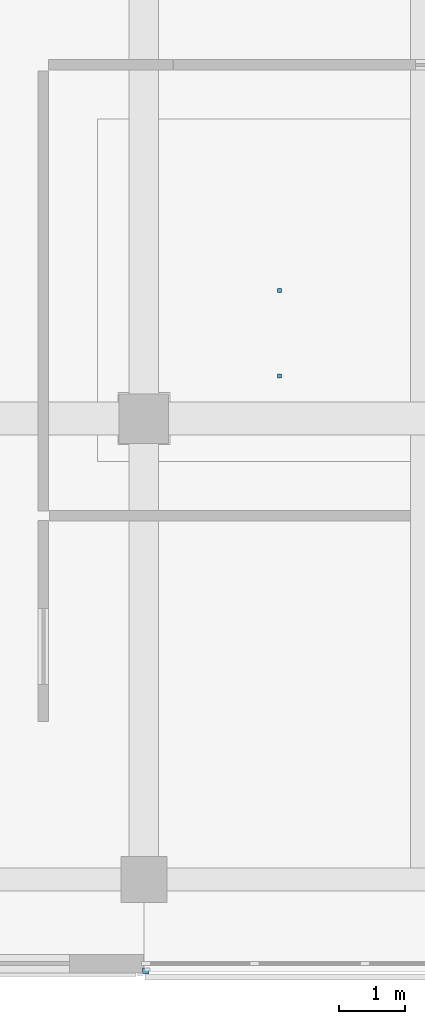
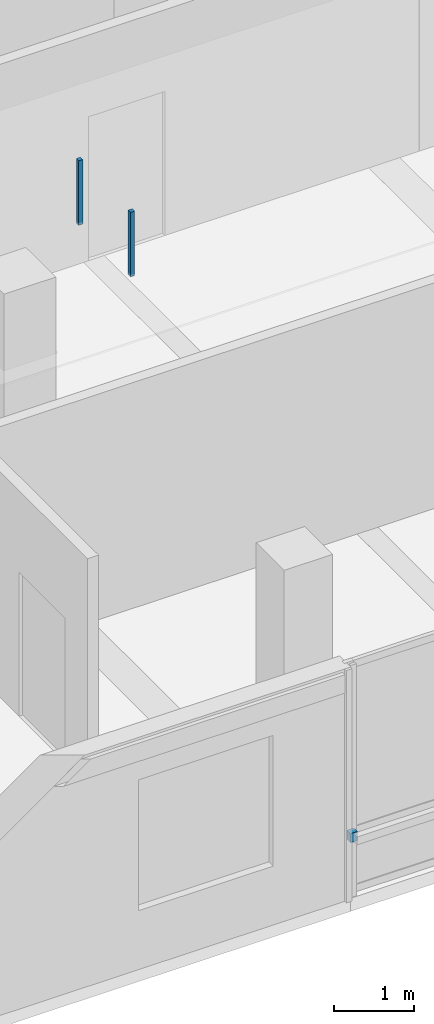
# One storey, part 16 of 35: 3 discrete accessories.
"""IFC4 building model written with IfcOpenShell, lengths in metres."""

from ifc_helpers import new_model, si_unit, direction, frame, origin, origin_2d, place, context, subcontext, project, spatial, rectangle, extrude, material, type_object, element, save


model = new_model("IFC4")

# Units and contexts
model_context = context("Model", 3, precision=1e-05, world=origin(), true_north=direction((0.0, 1.0)))
body_context = subcontext(model_context, "Body", "Model", "MODEL_VIEW")
ifc_project = project(units=[si_unit("LENGTHUNIT", "METRE"), si_unit("AREAUNIT", "SQUARE_METRE"), si_unit("VOLUMEUNIT", "CUBIC_METRE"), si_unit("PLANEANGLEUNIT", "RADIAN"), si_unit("MASSUNIT", "GRAM", prefix="KILO")], contexts=[model_context])

# Site, building, storey
site_placement = place(None, origin())
site = spatial("IfcSite", under=ifc_project, at=site_placement, CompositionType="ELEMENT")
building_placement = place(site_placement, origin())
building = spatial("IfcBuilding", under=site, at=building_placement, Name="Telukmera Botanical Conservatory", CompositionType="ELEMENT")
storey_placement = place(building_placement, frame((0.0, 0.0, 46.5)))
storey = spatial("IfcBuildingStorey", under=building, at=storey_placement, Name="L10", CompositionType="ELEMENT", Elevation=46.5)

# Discrete accessories
ifc_material = material(Name="Steel S355", Category="steel")
discrete_accessory_type_1 = type_object("IfcDiscreteAccessoryType", Name="ACC-CEIL-HGR", PredefinedType="BRACKET", material=ifc_material)
for number, where, z_axis, x_axis, name in (
    (1, (77.660888671875, 18.25, 3.31982421875), (0.0, 0.0, 1.0), (1.0, 0.0, 0.0), "L10 Suspended Ceiling Hanger Rod 025-1"),
    (2, (77.660888671875, 19.550048828125, 3.31982421875), (0.0, 0.0, 1.0), (1.0, 0.0, 0.0), "L10 Suspended Ceiling Hanger Rod 025-2"),
):
    element("IfcDiscreteAccessory", number, at=place(storey_placement, frame(where, z_axis=z_axis, x_axis=x_axis)), inside=storey, type_object=discrete_accessory_type_1, Name=name, PredefinedType="BRACKET", context=body_context, shape_type="SweptSolid", body=[
        extrude(rectangle(XDim=0.06005859375, YDim=0.06005859375, at=origin_2d()), origin(), (0.0, 0.0, 1.0), 0.985107421875),
    ])
discrete_accessory_type_2 = type_object("IfcDiscreteAccessoryType", Name="Structural Steel Facade Outrigger Fin Bracket", PredefinedType="BRACKET", material=ifc_material)
discrete_accessory_placement = place(storey_placement, frame((75.632080078125, 9.205078125, 0.8798828125), z_axis=(0.0, 0.0, 1.0), x_axis=(1.0, 0.0, 0.0)))
element("IfcDiscreteAccessory", 3, at=discrete_accessory_placement, inside=storey, type_object=discrete_accessory_type_2, Name="Facade Outrigger Bracket V4:L10:S4 A", PredefinedType="BRACKET", context=body_context, shape_type="SweptSolid", body=[
    extrude(rectangle(XDim=0.10009765625, YDim=0.090087890625, at=origin_2d()), origin(), (0.0, 0.0, 1.0), 0.139892578125),
])

save(model, "model.ifc")
